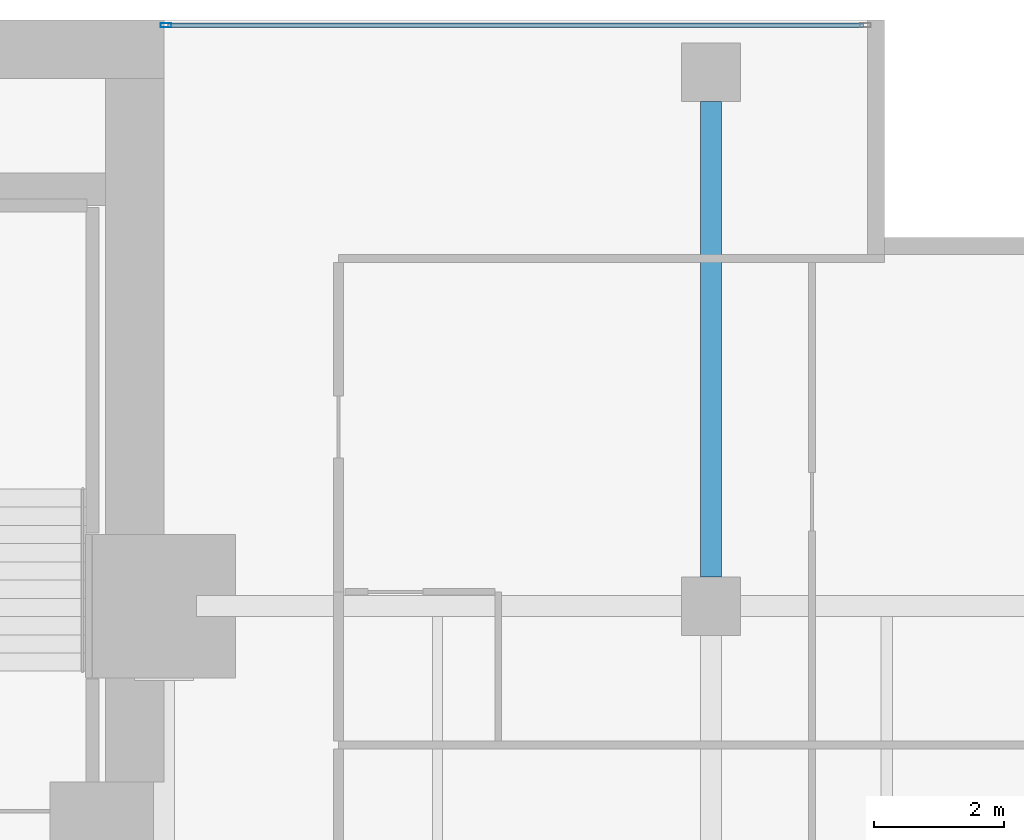
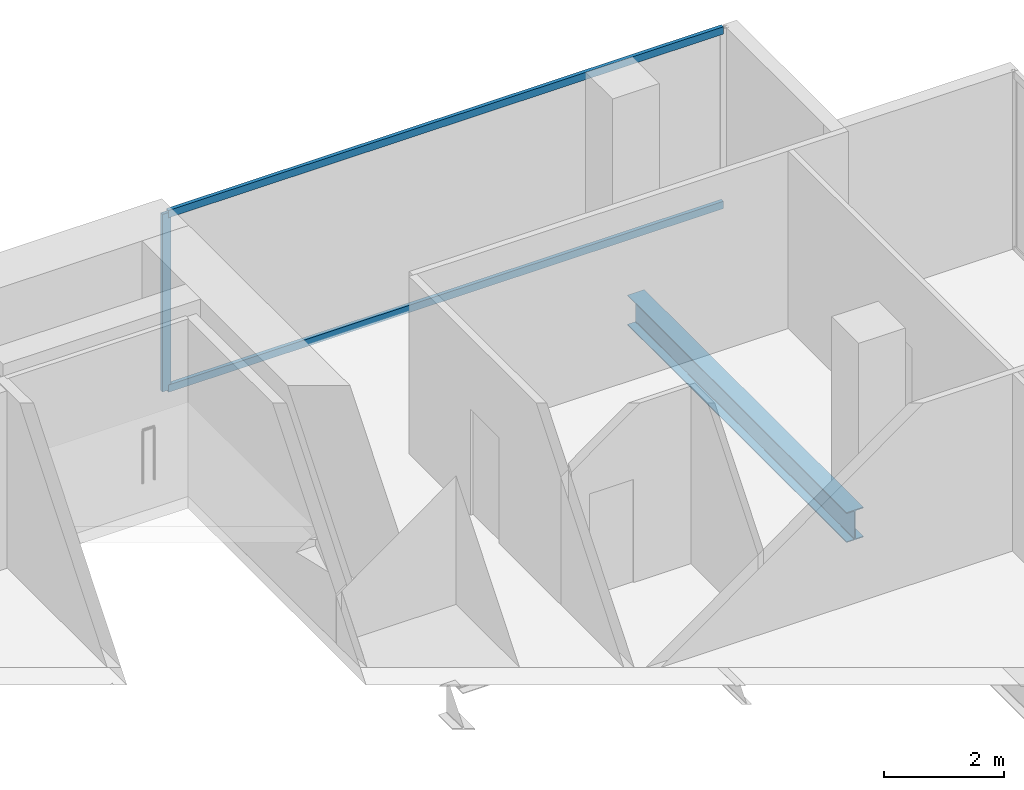
# One storey, part 30 of 40: 3 members, 1 beam, 1 element without a shape of its own.
"""IFC4 building model written with IfcOpenShell, lengths in metres."""

import ifcopenshell
import ifcopenshell.guid

model = None  # the IFC model being written
_history = None  # IfcOwnerHistory: only IFC2X3 demands one
_inside = {}  # id of a spatial element -> (the spatial element, [elements in it])
_under = {}  # id of a project, library or spatial element -> (it, [spatial elements below it])
_declared = {}  # id of a project -> (the project, [libraries it declares])
_typed = {}  # id of a type object -> (the type object, [elements of that type])
_made_of = {}  # id of a material, layer set ... -> (it, [elements and type objects made of it])


def new_model(schema):
    """Start an empty IFC model of exactly this schema.

    Asked for "IFC4X3", IfcOpenShell would pick the latest addendum, in which some entities
    have other attributes; the version numbers below select the first issue.
    IFC2X3 requires an IfcOwnerHistory on every rooted entity: one is made here for all.
    """
    global model, _history
    if schema == "IFC4X3":
        model = ifcopenshell.file(schema_version=(4, 3, 0, 0))
    else:
        model = ifcopenshell.file(schema=schema)
    _inside.clear()
    _under.clear()
    _declared.clear()
    _typed.clear()
    _made_of.clear()
    _history = None
    if model.schema == "IFC2X3":
        org = make("IfcOrganization", Name="unknown")
        user = make(
            "IfcPersonAndOrganization",
            ThePerson=make("IfcPerson", FamilyName="unknown"),
            TheOrganization=org,
        )
        app = make(
            "IfcApplication",
            ApplicationDeveloper=org,
            Version="unknown",
            ApplicationFullName="unknown",
            ApplicationIdentifier="unknown",
        )
        _history = make(
            "IfcOwnerHistory",
            OwningUser=user,
            OwningApplication=app,
            ChangeAction="ADDED",
            CreationDate=0,
        )
    return model


def make(cls, **values):
    """One entity of the class cls with the attributes given. An attribute that is None is left unset."""
    return model.create_entity(
        cls, **{name: value for name, value in values.items() if value is not None}
    )


def rooted(cls, **values):
    """An entity with a GlobalId (a new one), such as an element, a storey or a relation."""
    return make(cls, GlobalId=ifcopenshell.guid.new(), OwnerHistory=_history, **values)


def si_unit(unit_type, name, prefix=None):
    """IfcSIUnit, for example si_unit("LENGTHUNIT", "METRE", prefix="MILLI")."""
    return make("IfcSIUnit", UnitType=unit_type, Prefix=prefix, Name=name)


def assignment(units):
    """IfcUnitAssignment: the units of a project."""
    return None if units is None else make("IfcUnitAssignment", Units=units)


def point(xyz):
    """IfcCartesianPoint."""
    return None if xyz is None else make("IfcCartesianPoint", Coordinates=xyz)


def direction(xyz):
    """IfcDirection."""
    return None if xyz is None else make("IfcDirection", DirectionRatios=xyz)


def frame(location, z_axis=None, x_axis=None):
    """IfcAxis2Placement3D, a coordinate frame: its origin and axes. An axis left out is left unset."""
    return make(
        "IfcAxis2Placement3D",
        Location=point(location),
        Axis=direction(z_axis),
        RefDirection=direction(x_axis),
    )


def frame_2d(location, x_axis=None):
    """IfcAxis2Placement2D, a coordinate frame in the plane: its origin and x axis."""
    return make(
        "IfcAxis2Placement2D", Location=point(location), RefDirection=direction(x_axis)
    )


def origin():
    """The frame at (0, 0, 0) with its axes left unset."""
    return frame((0.0, 0.0, 0.0))


def origin_2d():
    """The frame at (0, 0) in the plane with its x axis left unset."""
    return frame_2d((0.0, 0.0))


def place(relative_to, where):
    """IfcLocalPlacement: puts the frame where relative to a parent placement (None: the world)."""
    return make(
        "IfcLocalPlacement", PlacementRelTo=relative_to, RelativePlacement=where
    )


def context(
    kind, dimensions, precision=None, world=None, true_north=None, identifier=None
):
    """IfcGeometricRepresentationContext, for example the 3D "Model" context."""
    return make(
        "IfcGeometricRepresentationContext",
        ContextIdentifier=identifier,
        ContextType=kind,
        CoordinateSpaceDimension=dimensions,
        Precision=precision,
        WorldCoordinateSystem=world,
        TrueNorth=true_north,
    )


def subcontext(parent, identifier, kind, view, scale=None):
    """IfcGeometricRepresentationSubContext, for example "Body" below "Model"."""
    return make(
        "IfcGeometricRepresentationSubContext",
        ContextIdentifier=identifier,
        ContextType=kind,
        ParentContext=parent,
        TargetScale=scale,
        TargetView=view,
    )


def project(units=None, contexts=None):
    """IfcProject with its units and contexts."""
    return rooted(
        "IfcProject",
        Name="project",
        RepresentationContexts=contexts,
        UnitsInContext=assignment(units),
    )


def spatial(cls, under=None, at=None, **own):
    """A site, building, storey or space (cls), placed at a placement, below another one or the project."""
    s = rooted(cls, ObjectPlacement=at, **own)
    if under is not None:
        _under.setdefault(under.id(), (under, []))[1].append(s)
    return s


def profile(cls, at=None, kind="AREA", **sizes):
    """A parametric profile (cls). Its sizes go by their IFC names, for example OverallWidth=200.0."""
    return make(cls, ProfileType=kind, Position=at, **sizes)


def hollow_rectangle(**sizes):
    """IfcRectangleHollowProfileDef."""
    return profile("IfcRectangleHollowProfileDef", **sizes)


def i_section(**sizes):
    """IfcIShapeProfileDef."""
    return profile("IfcIShapeProfileDef", **sizes)


def extrude(swept, where, along, depth):
    """IfcExtrudedAreaSolid: the profile swept, set in the frame where, extruded along a direction by depth."""
    return make(
        "IfcExtrudedAreaSolid",
        SweptArea=swept,
        Position=where,
        ExtrudedDirection=direction(along),
        Depth=depth,
    )


def shape(context_of_items, identifier, shape_type, items):
    """IfcShapeRepresentation: the items that make up one representation, for example the "Body"."""
    return make(
        "IfcShapeRepresentation",
        ContextOfItems=context_of_items,
        RepresentationIdentifier=identifier,
        RepresentationType=shape_type,
        Items=items,
    )


def material(Name=None, Category=None):
    """IfcMaterial."""
    return make("IfcMaterial", Name=Name, Category=Category)


def layer(
    of_material, thickness, ventilated=None, Name=None, Category=None, Priority=None
):
    """IfcMaterialLayer: one layer of a wall or slab, of a material (None: an air gap)."""
    return make(
        "IfcMaterialLayer",
        Material=of_material,
        LayerThickness=thickness,
        IsVentilated=ventilated,
        Name=Name,
        Category=Category,
        Priority=Priority,
    )


def layer_set(layers, Name=None):
    """IfcMaterialLayerSet."""
    return make("IfcMaterialLayerSet", MaterialLayers=layers, LayerSetName=Name)


def material_profile(
    of_material, cross_section, Name=None, Category=None, Priority=None
):
    """IfcMaterialProfile: a cross section and its material."""
    return make(
        "IfcMaterialProfile",
        Name=Name,
        Material=of_material,
        Profile=cross_section,
        Priority=Priority,
        Category=Category,
    )


def profile_set(profiles, Name=None, composite=None):
    """IfcMaterialProfileSet."""
    return make(
        "IfcMaterialProfileSet",
        Name=Name,
        MaterialProfiles=profiles,
        CompositeProfile=composite,
    )


def made_of(thing, what):
    """Note that an element or type object is made of a material, layer set ...; save() writes the relation."""
    if what is not None:
        _made_of.setdefault(what.id(), (what, []))[1].append(thing)
    return thing


def type_object(cls, material=None, **own):
    """A type object (cls), such as IfcWallType, which elements share."""
    return made_of(rooted(cls, **own), material)


def element(
    cls,
    number,
    at=None,
    inside=None,
    cuts=None,
    type_object=None,
    material=None,
    context=None,
    identifier="Body",
    shape_type=None,
    held_by="IfcProductDefinitionShape",
    body=None,
    shapes=None,
    **own,
):
    """One element of the class cls, such as IfcWall. Its Tag is "e" and its number.

    at: its placement. inside: the storey or other place that contains it. cuts: it is an
    opening in that element (IfcRelVoidsElement). A single representation is given by context,
    identifier, shape_type and body (its items); several are given by shapes. held_by: the class
    of the entity that holds the representations. save() writes the other relations.
    """
    e = rooted(cls, Tag="e%d" % number, ObjectPlacement=at, **own)
    if body is not None:
        shapes = [shape(context, identifier, shape_type, body)]
    if shapes is not None:
        e.Representation = make(held_by, Representations=shapes)
    if inside is not None:
        _inside.setdefault(inside.id(), (inside, []))[1].append(e)
    if cuts is not None:
        rooted(
            "IfcRelVoidsElement", RelatingBuildingElement=cuts, RelatedOpeningElement=e
        )
    if type_object is not None:
        _typed.setdefault(type_object.id(), (type_object, []))[1].append(e)
    return made_of(e, material)


def aggregate(whole, parts):
    """IfcRelAggregates: a whole, such as a stair, and the parts it consists of."""
    return rooted("IfcRelAggregates", RelatingObject=whole, RelatedObjects=parts)


def save(model, path):
    """Write the relations noted so far, then the file.

    IfcRelAggregates (storeys below a building ...), IfcRelContainedInSpatialStructure (elements
    in a storey), IfcRelDefinesByType, IfcRelAssociatesMaterial and IfcRelDeclares: one each for
    every whole, place, type object, material and project.
    """
    for whole, parts in _under.values():
        aggregate(whole, parts)
    for where, things in _inside.values():
        rooted(
            "IfcRelContainedInSpatialStructure",
            RelatedElements=things,
            RelatingStructure=where,
        )
    for kind, things in _typed.values():
        rooted("IfcRelDefinesByType", RelatedObjects=things, RelatingType=kind)
    for what, things in _made_of.values():
        rooted("IfcRelAssociatesMaterial", RelatedObjects=things, RelatingMaterial=what)
    for by, libraries in _declared.values():
        rooted("IfcRelDeclares", RelatingContext=by, RelatedDefinitions=libraries)
    model.write(path)


model = new_model("IFC4")

# Units and contexts
model_context = context("Model", 3, precision=1e-05, world=origin(), true_north=direction((0.0, 1.0)))
body_context = subcontext(model_context, "Body", "Model", "MODEL_VIEW")
ifc_project = project(units=[si_unit("LENGTHUNIT", "METRE"), si_unit("AREAUNIT", "SQUARE_METRE"), si_unit("VOLUMEUNIT", "CUBIC_METRE"), si_unit("PLANEANGLEUNIT", "RADIAN"), si_unit("MASSUNIT", "GRAM", prefix="KILO")], contexts=[model_context])

# Site, building, storey
site_placement = place(None, origin())
site = spatial("IfcSite", under=ifc_project, at=site_placement, CompositionType="ELEMENT")
building_placement = place(site_placement, origin())
building = spatial("IfcBuilding", under=site, at=building_placement, Name="Maruvema Waterfront Hotel and Observation Tower", CompositionType="ELEMENT")
storey_placement = place(building_placement, frame((0.0, 0.0, 107.800048828125)))
storey = spatial("IfcBuildingStorey", under=building, at=storey_placement, Name="L26", CompositionType="ELEMENT", Elevation=107.800048828125)

# Curtain wall, members
ifc_material_1 = material(Name="Anodised bronze aluminium and solar-control low-E IGU", Category="aluminium")
ifc_layer = layer(ifc_material_1, 0.159912109375, Name="Zone 1 Bronze Inner Thermal Curtain Wall System CW-02")
ifc_layer_set = layer_set([ifc_layer], Name="Anodised bronze aluminium and solar-control low-E IGU")
curtain_wall_type = type_object("IfcCurtainWallType", Name="Zone 1 Bronze Inner Thermal Curtain Wall System CW-02", PredefinedType="USERDEFINED", material=ifc_layer_set)
curtain_wall_placement = place(storey_placement, origin())
curtain_wall = element("IfcCurtainWall", 1, at=curtain_wall_placement, inside=storey, type_object=curtain_wall_type, Name="L26 Curtain Wall CW-L26-NE", ObjectType="UNITISED CURTAIN WALL", PredefinedType="USERDEFINED")
ifc_material_2 = material(Name="Anodised architectural bronze aluminium", Category="aluminium")
ifc_material_profile_1 = material_profile(ifc_material_2, hollow_rectangle(XDim=0.070068359375, YDim=0.14990234375, WallThickness=0.00390625, at=origin_2d()), Name="ALU-T70x150")
ifc_profile_set_1 = profile_set([ifc_material_profile_1], Name="Anodised architectural bronze aluminium")
member_type_1 = type_object("IfcMemberType", Name="Curtain Wall Horizontal Transom ALU-T70x150", PredefinedType="USERDEFINED", material=ifc_profile_set_1)
member_1_placement = place(storey_placement, frame((61.139892578125, 53.919921875, 0.030029296875), z_axis=(-1.0, 0.0, 0.0), x_axis=(0.0, -1.0, 0.0)))
member_1 = element("IfcMember", 2, at=member_1_placement, type_object=member_type_1, Name="CW-02 transom 1.1", ObjectType="TRANSOM", PredefinedType="USERDEFINED", context=body_context, shape_type="SweptSolid", body=[
    extrude(hollow_rectangle(XDim=0.070068359375, YDim=0.14990234375, WallThickness=0.00390625, at=origin_2d()), origin(), (0.0, 0.0, 1.0), 10.679931640625),
])
member_2_placement = place(storey_placement, frame((61.139892578125, 53.919921875, 3.579833984375), z_axis=(-1.0, 0.0, 0.0), x_axis=(0.0, -1.0, 0.0)))
member_2 = element("IfcMember", 3, at=member_2_placement, type_object=member_type_1, Name="CW-02 transom 1.2", ObjectType="TRANSOM", PredefinedType="USERDEFINED", context=body_context, shape_type="SweptSolid", body=[
    extrude(hollow_rectangle(XDim=0.070068359375, YDim=0.14990234375, WallThickness=0.00390625, at=origin_2d()), origin(), (0.0, 0.0, 1.0), 10.679931640625),
])
ifc_material_3 = material(Name="Anodised architectural bronze aluminium", Category="aluminium")
ifc_material_profile_2 = material_profile(ifc_material_3, hollow_rectangle(XDim=0.06494140625, YDim=0.1650390625, WallThickness=0.00390625, at=origin_2d()), Name="ALU-M65x165")
ifc_profile_set_2 = profile_set([ifc_material_profile_2], Name="Anodised architectural bronze aluminium")
member_type_2 = type_object("IfcMemberType", Name="Curtain Wall Primary Mullion ALU-M65x165", PredefinedType="MULLION", material=ifc_profile_set_2)
member_3_placement = place(storey_placement, frame((50.429931640625, 53.919921875, 0.0), z_axis=(0.0, 0.0, 1.0), x_axis=(0.0, -1.0, 0.0)))
member_3 = element("IfcMember", 4, at=member_3_placement, type_object=member_type_2, Name="CW-02 mullion 2", PredefinedType="MULLION", context=body_context, shape_type="SweptSolid", body=[
    extrude(hollow_rectangle(XDim=0.06494140625, YDim=0.1650390625, WallThickness=0.00390625, at=origin_2d()), origin(), (0.0, 0.0, 1.0), 3.60986328125),
])
aggregate(curtain_wall, [member_3, member_1, member_2])

# Beam
ifc_material_4 = material(Name="Steel ASTM A572 Grade 50", Category="steel")
ifc_material_profile_3 = material_profile(ifc_material_4, i_section(OverallWidth=0.323974609375, OverallDepth=0.611083984375, WebThickness=0.0126953125, FlangeThickness=0.01904296875, FilletRadius=0.01806640625, at=origin_2d()), Name="W610x155.0")
ifc_profile_set_3 = profile_set([ifc_material_profile_3], Name="Steel ASTM A572 Grade 50")
beam_type = type_object("IfcBeamType", Name="Primary Floor Girder W610x155.0", PredefinedType="BEAM", material=ifc_profile_set_3)
beam_placement = place(storey_placement, frame((58.800048828125, 45.449951171875, -0.545654296875), z_axis=(0.0, 1.0, 0.0), x_axis=(-1.0, 0.0, 0.0)))
element("IfcBeam", 5, at=beam_placement, inside=storey, type_object=beam_type, Name="L26 Floor Girder NS-32", PredefinedType="BEAM", context=body_context, shape_type="SweptSolid", body=[
    extrude(i_section(OverallWidth=0.323974609375, OverallDepth=0.611083984375, WebThickness=0.0126953125, FlangeThickness=0.01904296875, FilletRadius=0.01806640625, at=origin_2d()), origin(), (0.0, 0.0, 1.0), 7.300048828125),
])

save(model, "model.ifc")
